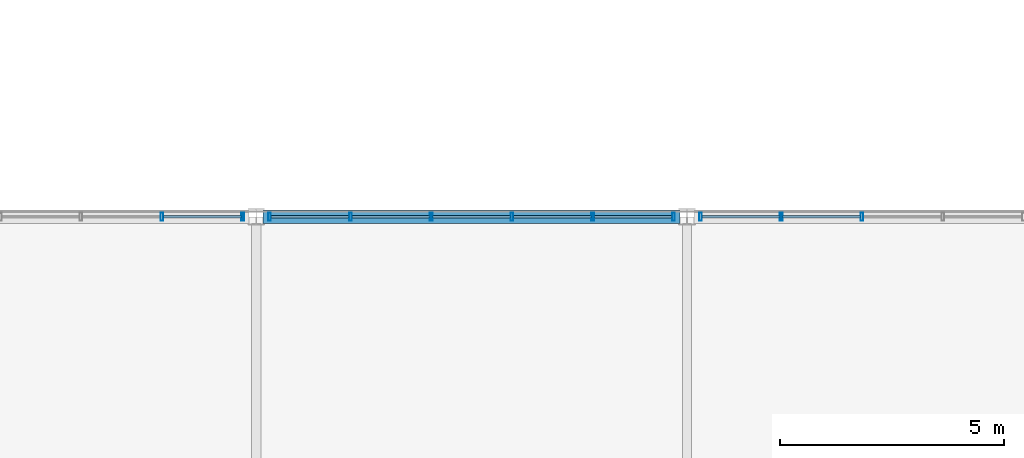
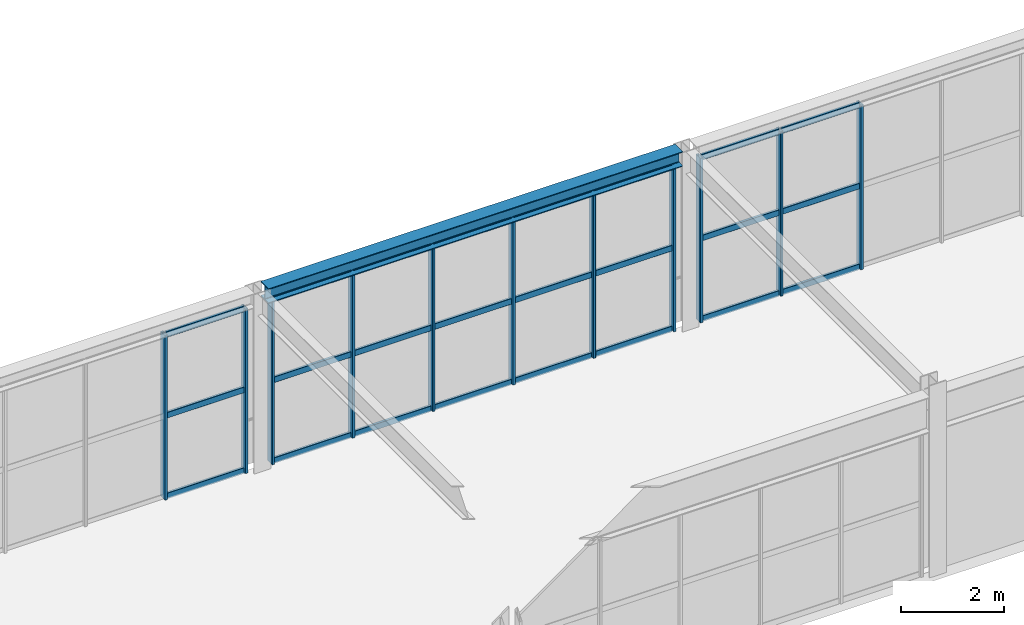
# One storey, part 71 of 170: 35 members, 1 beam, 3 elements without a shape of their own.
"""IFC4 building model written with IfcOpenShell, lengths in metres."""

from ifc_helpers import new_model, si_unit, direction, frame, origin, origin_2d, place, context, subcontext, project, spatial, hollow_rectangle, i_section, extrude, material, material_profile, profile_set, type_object, element, aggregate, save


model = new_model("IFC4")

# Units and contexts
model_context = context("Model", 3, precision=1e-05, world=origin(), true_north=direction((0.0, 1.0)))
body_context = subcontext(model_context, "Body", "Model", "MODEL_VIEW")
ifc_project = project(units=[si_unit("LENGTHUNIT", "METRE"), si_unit("AREAUNIT", "SQUARE_METRE"), si_unit("VOLUMEUNIT", "CUBIC_METRE"), si_unit("PLANEANGLEUNIT", "RADIAN"), si_unit("MASSUNIT", "GRAM", prefix="KILO")], contexts=[model_context])

# Site, building, storey
site_placement = place(None, origin())
site = spatial("IfcSite", under=ifc_project, at=site_placement, CompositionType="ELEMENT")
building_placement = place(site_placement, origin())
building = spatial("IfcBuilding", under=site, at=building_placement, Name="Coralgate Yard Interchange", CompositionType="ELEMENT")
storey_placement = place(building_placement, frame((0.0, 0.0, 6.0)))
storey = spatial("IfcBuildingStorey", under=building, at=storey_placement, Name="L01", CompositionType="ELEMENT", Elevation=6.0)

# Beam
ifc_material_1 = material(Name="Structural steel S355J2", Category="steel")
ifc_material_profile_1 = material_profile(ifc_material_1, i_section(OverallWidth=0.300048828125, OverallDepth=0.35009765625, WebThickness=0.010009765625, FlangeThickness=0.017578125, FilletRadius=0.027099609375, at=origin_2d()), Name="HEA 360")
ifc_profile_set_1 = profile_set([ifc_material_profile_1], Name="Structural steel S355J2")
beam_type = type_object("IfcBeamType", Name="BM-SP-1", PredefinedType="SPANDREL", material=ifc_profile_set_1)
beam_placement = place(storey_placement, frame((67.356201171875, 48.0, 4.074951171875), z_axis=(1.0, 0.0, 0.0), x_axis=(0.0, 1.0, 0.0)))
element("IfcBeam", 1, at=beam_placement, inside=storey, type_object=beam_type, Name="L01 primary grid beam Y5 X7-8", PredefinedType="SPANDREL", context=body_context, shape_type="SweptSolid", body=[
    extrude(i_section(OverallWidth=0.300048828125, OverallDepth=0.35009765625, WebThickness=0.010009765625, FlangeThickness=0.017578125, FilletRadius=0.027099609375, at=origin_2d()), origin(), (0.0, 0.0, 1.0), 9.28759765625),
])

# Curtain wall, members
ifc_material_2 = material(Name="Anodised coastal aluminium and solar-control low-E glass", Category="aluminium")
curtain_wall_type = type_object("IfcCurtainWallType", Name="CW-CW-L01-B", PredefinedType="NOTDEFINED", material=ifc_material_2)
curtain_wall_1_placement = place(storey_placement, origin())
curtain_wall_1 = element("IfcCurtainWall", 2, at=curtain_wall_1_placement, inside=storey, type_object=curtain_wall_type, Name="L01 unitised curtain wall CW-L01-N-06-04", PredefinedType="NOTDEFINED")
ifc_material_3 = material(Name="Anodised coastal aluminium 6063-T6", Category="aluminium")
ifc_material_profile_2 = material_profile(ifc_material_3, hollow_rectangle(XDim=0.06005859375, YDim=0.179931640625, WallThickness=0.00390625, InnerFilletRadius=0.00390625, OuterFilletRadius=0.008056640625, at=origin_2d()), Name="ALU 60x180x4")
ifc_profile_set_2 = profile_set([ifc_material_profile_2], Name="Anodised coastal aluminium 6063-T6")
member_type_1 = type_object("IfcMemberType", Name="MB-MUL-180", PredefinedType="MULLION", material=ifc_profile_set_2)
member_1_placement = place(storey_placement, frame((65.10009765625, 48.0, 0.0), z_axis=(0.0, 0.0, 1.0), x_axis=(1.0, 0.0, 0.0)))
member_1 = element("IfcMember", 3, at=member_1_placement, type_object=member_type_1, Name="CW-L01-N-06-04 vertical mullion 5", PredefinedType="MULLION", context=body_context, shape_type="SweptSolid", body=[
    extrude(hollow_rectangle(XDim=0.06005859375, YDim=0.179931640625, WallThickness=0.00390625, InnerFilletRadius=0.00390625, OuterFilletRadius=0.008056640625, at=origin_2d()), origin(), (0.0, 0.0, 1.0), 3.89990234375),
])
member_2_placement = place(storey_placement, frame((66.89990234375, 48.0, 0.0), z_axis=(0.0, 0.0, 1.0), x_axis=(1.0, 0.0, 0.0)))
member_2 = element("IfcMember", 4, at=member_2_placement, type_object=member_type_1, Name="CW-L01-N-06-04 vertical mullion 6", PredefinedType="MULLION", context=body_context, shape_type="SweptSolid", body=[
    extrude(hollow_rectangle(XDim=0.06005859375, YDim=0.179931640625, WallThickness=0.00390625, InnerFilletRadius=0.00390625, OuterFilletRadius=0.008056640625, at=origin_2d()), origin(), (0.0, 0.0, 1.0), 3.89990234375),
])

curtain_wall_2_placement = place(storey_placement, origin())
curtain_wall_2 = element("IfcCurtainWall", 5, at=curtain_wall_2_placement, inside=storey, type_object=curtain_wall_type, Name="L01 unitised curtain wall CW-L01-N-07-04", PredefinedType="NOTDEFINED")
member_3_placement = place(storey_placement, frame((67.5, 48.0, 0.0), z_axis=(0.0, 0.0, 1.0), x_axis=(1.0, 0.0, 0.0)))
member_3 = element("IfcMember", 6, at=member_3_placement, type_object=member_type_1, Name="CW-L01-N-07-04 vertical mullion 1", PredefinedType="MULLION", context=body_context, shape_type="SweptSolid", body=[
    extrude(hollow_rectangle(XDim=0.06005859375, YDim=0.179931640625, WallThickness=0.00390625, InnerFilletRadius=0.00390625, OuterFilletRadius=0.008056640625, at=origin_2d()), origin(), (0.0, 0.0, 1.0), 3.89990234375),
])
member_4_placement = place(storey_placement, frame((69.300048828125, 48.0, 0.0), z_axis=(0.0, 0.0, 1.0), x_axis=(1.0, 0.0, 0.0)))
member_4 = element("IfcMember", 7, at=member_4_placement, type_object=member_type_1, Name="CW-L01-N-07-04 vertical mullion 2", PredefinedType="MULLION", context=body_context, shape_type="SweptSolid", body=[
    extrude(hollow_rectangle(XDim=0.06005859375, YDim=0.179931640625, WallThickness=0.00390625, InnerFilletRadius=0.00390625, OuterFilletRadius=0.008056640625, at=origin_2d()), origin(), (0.0, 0.0, 1.0), 3.89990234375),
])
member_5_placement = place(storey_placement, frame((71.10009765625, 48.0, 0.0), z_axis=(0.0, 0.0, 1.0), x_axis=(1.0, 0.0, 0.0)))
member_5 = element("IfcMember", 8, at=member_5_placement, type_object=member_type_1, Name="CW-L01-N-07-04 vertical mullion 3", PredefinedType="MULLION", context=body_context, shape_type="SweptSolid", body=[
    extrude(hollow_rectangle(XDim=0.06005859375, YDim=0.179931640625, WallThickness=0.00390625, InnerFilletRadius=0.00390625, OuterFilletRadius=0.008056640625, at=origin_2d()), origin(), (0.0, 0.0, 1.0), 3.89990234375),
])
member_6_placement = place(storey_placement, frame((72.89990234375, 48.0, 0.0), z_axis=(0.0, 0.0, 1.0), x_axis=(1.0, 0.0, 0.0)))
member_6 = element("IfcMember", 9, at=member_6_placement, type_object=member_type_1, Name="CW-L01-N-07-04 vertical mullion 4", PredefinedType="MULLION", context=body_context, shape_type="SweptSolid", body=[
    extrude(hollow_rectangle(XDim=0.06005859375, YDim=0.179931640625, WallThickness=0.00390625, InnerFilletRadius=0.00390625, OuterFilletRadius=0.008056640625, at=origin_2d()), origin(), (0.0, 0.0, 1.0), 3.89990234375),
])
member_7_placement = place(storey_placement, frame((74.699951171875, 48.0, 0.0), z_axis=(0.0, 0.0, 1.0), x_axis=(1.0, 0.0, 0.0)))
member_7 = element("IfcMember", 10, at=member_7_placement, type_object=member_type_1, Name="CW-L01-N-07-04 vertical mullion 5", PredefinedType="MULLION", context=body_context, shape_type="SweptSolid", body=[
    extrude(hollow_rectangle(XDim=0.06005859375, YDim=0.179931640625, WallThickness=0.00390625, InnerFilletRadius=0.00390625, OuterFilletRadius=0.008056640625, at=origin_2d()), origin(), (0.0, 0.0, 1.0), 3.89990234375),
])
member_8_placement = place(storey_placement, frame((76.5, 48.0, 0.0), z_axis=(0.0, 0.0, 1.0), x_axis=(1.0, 0.0, 0.0)))
member_8 = element("IfcMember", 11, at=member_8_placement, type_object=member_type_1, Name="CW-L01-N-07-04 vertical mullion 6", PredefinedType="MULLION", context=body_context, shape_type="SweptSolid", body=[
    extrude(hollow_rectangle(XDim=0.06005859375, YDim=0.179931640625, WallThickness=0.00390625, InnerFilletRadius=0.00390625, OuterFilletRadius=0.008056640625, at=origin_2d()), origin(), (0.0, 0.0, 1.0), 3.89990234375),
])

curtain_wall_3_placement = place(storey_placement, origin())
curtain_wall_3 = element("IfcCurtainWall", 12, at=curtain_wall_3_placement, inside=storey, type_object=curtain_wall_type, Name="L01 unitised curtain wall CW-L01-N-08-04", PredefinedType="NOTDEFINED")
member_9_placement = place(storey_placement, frame((77.10009765625, 48.0, 0.0), z_axis=(0.0, 0.0, 1.0), x_axis=(1.0, 0.0, 0.0)))
member_9 = element("IfcMember", 13, at=member_9_placement, type_object=member_type_1, Name="CW-L01-N-08-04 vertical mullion 1", PredefinedType="MULLION", context=body_context, shape_type="SweptSolid", body=[
    extrude(hollow_rectangle(XDim=0.06005859375, YDim=0.179931640625, WallThickness=0.00390625, InnerFilletRadius=0.00390625, OuterFilletRadius=0.008056640625, at=origin_2d()), origin(), (0.0, 0.0, 1.0), 3.89990234375),
])
member_10_placement = place(storey_placement, frame((78.89990234375, 48.0, 0.0), z_axis=(0.0, 0.0, 1.0), x_axis=(1.0, 0.0, 0.0)))
member_10 = element("IfcMember", 14, at=member_10_placement, type_object=member_type_1, Name="CW-L01-N-08-04 vertical mullion 2", PredefinedType="MULLION", context=body_context, shape_type="SweptSolid", body=[
    extrude(hollow_rectangle(XDim=0.06005859375, YDim=0.179931640625, WallThickness=0.00390625, InnerFilletRadius=0.00390625, OuterFilletRadius=0.008056640625, at=origin_2d()), origin(), (0.0, 0.0, 1.0), 3.89990234375),
])
member_11_placement = place(storey_placement, frame((80.699951171875, 48.0, 0.0), z_axis=(0.0, 0.0, 1.0), x_axis=(1.0, 0.0, 0.0)))
member_11 = element("IfcMember", 15, at=member_11_placement, type_object=member_type_1, Name="CW-L01-N-08-04 vertical mullion 3", PredefinedType="MULLION", context=body_context, shape_type="SweptSolid", body=[
    extrude(hollow_rectangle(XDim=0.06005859375, YDim=0.179931640625, WallThickness=0.00390625, InnerFilletRadius=0.00390625, OuterFilletRadius=0.008056640625, at=origin_2d()), origin(), (0.0, 0.0, 1.0), 3.89990234375),
])

# Member
ifc_material_profile_3 = material_profile(ifc_material_3, hollow_rectangle(XDim=0.06005859375, YDim=0.139892578125, WallThickness=0.00341796875, InnerFilletRadius=0.00341796875, OuterFilletRadius=0.007080078125, at=origin_2d()), Name="ALU 60x140x3.5")
ifc_profile_set_3 = profile_set([ifc_material_profile_3], Name="Anodised coastal aluminium 6063-T6")
member_type_2 = type_object("IfcMemberType", Name="MB-TRN-140", PredefinedType="USERDEFINED", material=ifc_profile_set_3)
member_12_placement = place(storey_placement, frame((65.1298828125, 48.0, 0.034912109375), z_axis=(1.0, 0.0, 0.0), x_axis=(0.0, 1.0, 0.0)))
member_12 = element("IfcMember", 16, at=member_12_placement, type_object=member_type_2, Name="CW-L01-N-06-04 horizontal transom 5-1", ObjectType="TRANSOM", PredefinedType="USERDEFINED", context=body_context, shape_type="SweptSolid", body=[
    extrude(hollow_rectangle(XDim=0.06005859375, YDim=0.139892578125, WallThickness=0.00341796875, InnerFilletRadius=0.00341796875, OuterFilletRadius=0.007080078125, at=origin_2d()), origin(), (0.0, 0.0, 1.0), 1.740234375),
])

member_13_placement = place(storey_placement, frame((65.1298828125, 48.0, 1.949951171875), z_axis=(1.0, 0.0, 0.0), x_axis=(0.0, 1.0, 0.0)))
member_13 = element("IfcMember", 17, at=member_13_placement, type_object=member_type_2, Name="CW-L01-N-06-04 horizontal transom 5-2", ObjectType="TRANSOM", PredefinedType="USERDEFINED", context=body_context, shape_type="SweptSolid", body=[
    extrude(hollow_rectangle(XDim=0.06005859375, YDim=0.139892578125, WallThickness=0.00341796875, InnerFilletRadius=0.00341796875, OuterFilletRadius=0.007080078125, at=origin_2d()), origin(), (0.0, 0.0, 1.0), 1.740234375),
])

member_14_placement = place(storey_placement, frame((65.1298828125, 48.0, 3.864990234375), z_axis=(1.0, 0.0, 0.0), x_axis=(0.0, 1.0, 0.0)))
member_14 = element("IfcMember", 18, at=member_14_placement, type_object=member_type_2, Name="CW-L01-N-06-04 horizontal transom 5-3", ObjectType="TRANSOM", PredefinedType="USERDEFINED", context=body_context, shape_type="SweptSolid", body=[
    extrude(hollow_rectangle(XDim=0.06005859375, YDim=0.139892578125, WallThickness=0.00341796875, InnerFilletRadius=0.00341796875, OuterFilletRadius=0.007080078125, at=origin_2d()), origin(), (0.0, 0.0, 1.0), 1.740234375),
])

aggregate(curtain_wall_1, [member_1, member_2, member_12, member_13, member_14])

member_15_placement = place(storey_placement, frame((67.530029296875, 48.0, 0.034912109375), z_axis=(1.0, 0.0, 0.0), x_axis=(0.0, 1.0, 0.0)))
member_15 = element("IfcMember", 19, at=member_15_placement, type_object=member_type_2, Name="CW-L01-N-07-04 horizontal transom 1-1", ObjectType="TRANSOM", PredefinedType="USERDEFINED", context=body_context, shape_type="SweptSolid", body=[
    extrude(hollow_rectangle(XDim=0.06005859375, YDim=0.139892578125, WallThickness=0.00341796875, InnerFilletRadius=0.00341796875, OuterFilletRadius=0.007080078125, at=origin_2d()), origin(), (0.0, 0.0, 1.0), 1.739990234375),
])

member_16_placement = place(storey_placement, frame((67.530029296875, 48.0, 1.949951171875), z_axis=(1.0, 0.0, 0.0), x_axis=(0.0, 1.0, 0.0)))
member_16 = element("IfcMember", 20, at=member_16_placement, type_object=member_type_2, Name="CW-L01-N-07-04 horizontal transom 1-2", ObjectType="TRANSOM", PredefinedType="USERDEFINED", context=body_context, shape_type="SweptSolid", body=[
    extrude(hollow_rectangle(XDim=0.06005859375, YDim=0.139892578125, WallThickness=0.00341796875, InnerFilletRadius=0.00341796875, OuterFilletRadius=0.007080078125, at=origin_2d()), origin(), (0.0, 0.0, 1.0), 1.739990234375),
])

member_17_placement = place(storey_placement, frame((67.530029296875, 48.0, 3.864990234375), z_axis=(1.0, 0.0, 0.0), x_axis=(0.0, 1.0, 0.0)))
member_17 = element("IfcMember", 21, at=member_17_placement, type_object=member_type_2, Name="CW-L01-N-07-04 horizontal transom 1-3", ObjectType="TRANSOM", PredefinedType="USERDEFINED", context=body_context, shape_type="SweptSolid", body=[
    extrude(hollow_rectangle(XDim=0.06005859375, YDim=0.139892578125, WallThickness=0.00341796875, InnerFilletRadius=0.00341796875, OuterFilletRadius=0.007080078125, at=origin_2d()), origin(), (0.0, 0.0, 1.0), 1.739990234375),
])

member_18_placement = place(storey_placement, frame((69.330078125, 48.0, 0.034912109375), z_axis=(1.0, 0.0, 0.0), x_axis=(0.0, 1.0, 0.0)))
member_18 = element("IfcMember", 22, at=member_18_placement, type_object=member_type_2, Name="CW-L01-N-07-04 horizontal transom 2-1", ObjectType="TRANSOM", PredefinedType="USERDEFINED", context=body_context, shape_type="SweptSolid", body=[
    extrude(hollow_rectangle(XDim=0.06005859375, YDim=0.139892578125, WallThickness=0.00341796875, InnerFilletRadius=0.00341796875, OuterFilletRadius=0.007080078125, at=origin_2d()), origin(), (0.0, 0.0, 1.0), 1.739990234375),
])

member_19_placement = place(storey_placement, frame((69.330078125, 48.0, 1.949951171875), z_axis=(1.0, 0.0, 0.0), x_axis=(0.0, 1.0, 0.0)))
member_19 = element("IfcMember", 23, at=member_19_placement, type_object=member_type_2, Name="CW-L01-N-07-04 horizontal transom 2-2", ObjectType="TRANSOM", PredefinedType="USERDEFINED", context=body_context, shape_type="SweptSolid", body=[
    extrude(hollow_rectangle(XDim=0.06005859375, YDim=0.139892578125, WallThickness=0.00341796875, InnerFilletRadius=0.00341796875, OuterFilletRadius=0.007080078125, at=origin_2d()), origin(), (0.0, 0.0, 1.0), 1.739990234375),
])

member_20_placement = place(storey_placement, frame((69.330078125, 48.0, 3.864990234375), z_axis=(1.0, 0.0, 0.0), x_axis=(0.0, 1.0, 0.0)))
member_20 = element("IfcMember", 24, at=member_20_placement, type_object=member_type_2, Name="CW-L01-N-07-04 horizontal transom 2-3", ObjectType="TRANSOM", PredefinedType="USERDEFINED", context=body_context, shape_type="SweptSolid", body=[
    extrude(hollow_rectangle(XDim=0.06005859375, YDim=0.139892578125, WallThickness=0.00341796875, InnerFilletRadius=0.00341796875, OuterFilletRadius=0.007080078125, at=origin_2d()), origin(), (0.0, 0.0, 1.0), 1.739990234375),
])

member_21_placement = place(storey_placement, frame((71.1298828125, 48.0, 0.034912109375), z_axis=(1.0, 0.0, 0.0), x_axis=(0.0, 1.0, 0.0)))
member_21 = element("IfcMember", 25, at=member_21_placement, type_object=member_type_2, Name="CW-L01-N-07-04 horizontal transom 3-1", ObjectType="TRANSOM", PredefinedType="USERDEFINED", context=body_context, shape_type="SweptSolid", body=[
    extrude(hollow_rectangle(XDim=0.06005859375, YDim=0.139892578125, WallThickness=0.00341796875, InnerFilletRadius=0.00341796875, OuterFilletRadius=0.007080078125, at=origin_2d()), origin(), (0.0, 0.0, 1.0), 1.740234375),
])

member_22_placement = place(storey_placement, frame((71.1298828125, 48.0, 1.949951171875), z_axis=(1.0, 0.0, 0.0), x_axis=(0.0, 1.0, 0.0)))
member_22 = element("IfcMember", 26, at=member_22_placement, type_object=member_type_2, Name="CW-L01-N-07-04 horizontal transom 3-2", ObjectType="TRANSOM", PredefinedType="USERDEFINED", context=body_context, shape_type="SweptSolid", body=[
    extrude(hollow_rectangle(XDim=0.06005859375, YDim=0.139892578125, WallThickness=0.00341796875, InnerFilletRadius=0.00341796875, OuterFilletRadius=0.007080078125, at=origin_2d()), origin(), (0.0, 0.0, 1.0), 1.740234375),
])

member_23_placement = place(storey_placement, frame((71.1298828125, 48.0, 3.864990234375), z_axis=(1.0, 0.0, 0.0), x_axis=(0.0, 1.0, 0.0)))
member_23 = element("IfcMember", 27, at=member_23_placement, type_object=member_type_2, Name="CW-L01-N-07-04 horizontal transom 3-3", ObjectType="TRANSOM", PredefinedType="USERDEFINED", context=body_context, shape_type="SweptSolid", body=[
    extrude(hollow_rectangle(XDim=0.06005859375, YDim=0.139892578125, WallThickness=0.00341796875, InnerFilletRadius=0.00341796875, OuterFilletRadius=0.007080078125, at=origin_2d()), origin(), (0.0, 0.0, 1.0), 1.740234375),
])

member_24_placement = place(storey_placement, frame((72.929931640625, 48.0, 0.034912109375), z_axis=(1.0, 0.0, 0.0), x_axis=(0.0, 1.0, 0.0)))
member_24 = element("IfcMember", 28, at=member_24_placement, type_object=member_type_2, Name="CW-L01-N-07-04 horizontal transom 4-1", ObjectType="TRANSOM", PredefinedType="USERDEFINED", context=body_context, shape_type="SweptSolid", body=[
    extrude(hollow_rectangle(XDim=0.06005859375, YDim=0.139892578125, WallThickness=0.00341796875, InnerFilletRadius=0.00341796875, OuterFilletRadius=0.007080078125, at=origin_2d()), origin(), (0.0, 0.0, 1.0), 1.739990234375),
])

member_25_placement = place(storey_placement, frame((72.929931640625, 48.0, 1.949951171875), z_axis=(1.0, 0.0, 0.0), x_axis=(0.0, 1.0, 0.0)))
member_25 = element("IfcMember", 29, at=member_25_placement, type_object=member_type_2, Name="CW-L01-N-07-04 horizontal transom 4-2", ObjectType="TRANSOM", PredefinedType="USERDEFINED", context=body_context, shape_type="SweptSolid", body=[
    extrude(hollow_rectangle(XDim=0.06005859375, YDim=0.139892578125, WallThickness=0.00341796875, InnerFilletRadius=0.00341796875, OuterFilletRadius=0.007080078125, at=origin_2d()), origin(), (0.0, 0.0, 1.0), 1.739990234375),
])

member_26_placement = place(storey_placement, frame((72.929931640625, 48.0, 3.864990234375), z_axis=(1.0, 0.0, 0.0), x_axis=(0.0, 1.0, 0.0)))
member_26 = element("IfcMember", 30, at=member_26_placement, type_object=member_type_2, Name="CW-L01-N-07-04 horizontal transom 4-3", ObjectType="TRANSOM", PredefinedType="USERDEFINED", context=body_context, shape_type="SweptSolid", body=[
    extrude(hollow_rectangle(XDim=0.06005859375, YDim=0.139892578125, WallThickness=0.00341796875, InnerFilletRadius=0.00341796875, OuterFilletRadius=0.007080078125, at=origin_2d()), origin(), (0.0, 0.0, 1.0), 1.739990234375),
])

member_27_placement = place(storey_placement, frame((74.72998046875, 48.0, 0.034912109375), z_axis=(1.0, 0.0, 0.0), x_axis=(0.0, 1.0, 0.0)))
member_27 = element("IfcMember", 31, at=member_27_placement, type_object=member_type_2, Name="CW-L01-N-07-04 horizontal transom 5-1", ObjectType="TRANSOM", PredefinedType="USERDEFINED", context=body_context, shape_type="SweptSolid", body=[
    extrude(hollow_rectangle(XDim=0.06005859375, YDim=0.139892578125, WallThickness=0.00341796875, InnerFilletRadius=0.00341796875, OuterFilletRadius=0.007080078125, at=origin_2d()), origin(), (0.0, 0.0, 1.0), 1.739990234375),
])

member_28_placement = place(storey_placement, frame((74.72998046875, 48.0, 1.949951171875), z_axis=(1.0, 0.0, 0.0), x_axis=(0.0, 1.0, 0.0)))
member_28 = element("IfcMember", 32, at=member_28_placement, type_object=member_type_2, Name="CW-L01-N-07-04 horizontal transom 5-2", ObjectType="TRANSOM", PredefinedType="USERDEFINED", context=body_context, shape_type="SweptSolid", body=[
    extrude(hollow_rectangle(XDim=0.06005859375, YDim=0.139892578125, WallThickness=0.00341796875, InnerFilletRadius=0.00341796875, OuterFilletRadius=0.007080078125, at=origin_2d()), origin(), (0.0, 0.0, 1.0), 1.739990234375),
])

member_29_placement = place(storey_placement, frame((74.72998046875, 48.0, 3.864990234375), z_axis=(1.0, 0.0, 0.0), x_axis=(0.0, 1.0, 0.0)))
member_29 = element("IfcMember", 33, at=member_29_placement, type_object=member_type_2, Name="CW-L01-N-07-04 horizontal transom 5-3", ObjectType="TRANSOM", PredefinedType="USERDEFINED", context=body_context, shape_type="SweptSolid", body=[
    extrude(hollow_rectangle(XDim=0.06005859375, YDim=0.139892578125, WallThickness=0.00341796875, InnerFilletRadius=0.00341796875, OuterFilletRadius=0.007080078125, at=origin_2d()), origin(), (0.0, 0.0, 1.0), 1.739990234375),
])

aggregate(curtain_wall_2, [member_3, member_4, member_5, member_6, member_7, member_8, member_15, member_16, member_17, member_18, member_19, member_20, member_21, member_22, member_23, member_24, member_25, member_26, member_27, member_28, member_29])

member_30_placement = place(storey_placement, frame((77.1298828125, 48.0, 0.034912109375), z_axis=(1.0, 0.0, 0.0), x_axis=(0.0, 1.0, 0.0)))
member_30 = element("IfcMember", 34, at=member_30_placement, type_object=member_type_2, Name="CW-L01-N-08-04 horizontal transom 1-1", ObjectType="TRANSOM", PredefinedType="USERDEFINED", context=body_context, shape_type="SweptSolid", body=[
    extrude(hollow_rectangle(XDim=0.06005859375, YDim=0.139892578125, WallThickness=0.00341796875, InnerFilletRadius=0.00341796875, OuterFilletRadius=0.007080078125, at=origin_2d()), origin(), (0.0, 0.0, 1.0), 1.740234375),
])

member_31_placement = place(storey_placement, frame((77.1298828125, 48.0, 1.949951171875), z_axis=(1.0, 0.0, 0.0), x_axis=(0.0, 1.0, 0.0)))
member_31 = element("IfcMember", 35, at=member_31_placement, type_object=member_type_2, Name="CW-L01-N-08-04 horizontal transom 1-2", ObjectType="TRANSOM", PredefinedType="USERDEFINED", context=body_context, shape_type="SweptSolid", body=[
    extrude(hollow_rectangle(XDim=0.06005859375, YDim=0.139892578125, WallThickness=0.00341796875, InnerFilletRadius=0.00341796875, OuterFilletRadius=0.007080078125, at=origin_2d()), origin(), (0.0, 0.0, 1.0), 1.740234375),
])

member_32_placement = place(storey_placement, frame((77.1298828125, 48.0, 3.864990234375), z_axis=(1.0, 0.0, 0.0), x_axis=(0.0, 1.0, 0.0)))
member_32 = element("IfcMember", 36, at=member_32_placement, type_object=member_type_2, Name="CW-L01-N-08-04 horizontal transom 1-3", ObjectType="TRANSOM", PredefinedType="USERDEFINED", context=body_context, shape_type="SweptSolid", body=[
    extrude(hollow_rectangle(XDim=0.06005859375, YDim=0.139892578125, WallThickness=0.00341796875, InnerFilletRadius=0.00341796875, OuterFilletRadius=0.007080078125, at=origin_2d()), origin(), (0.0, 0.0, 1.0), 1.740234375),
])

member_33_placement = place(storey_placement, frame((78.929931640625, 48.0, 0.034912109375), z_axis=(1.0, 0.0, 0.0), x_axis=(0.0, 1.0, 0.0)))
member_33 = element("IfcMember", 37, at=member_33_placement, type_object=member_type_2, Name="CW-L01-N-08-04 horizontal transom 2-1", ObjectType="TRANSOM", PredefinedType="USERDEFINED", context=body_context, shape_type="SweptSolid", body=[
    extrude(hollow_rectangle(XDim=0.06005859375, YDim=0.139892578125, WallThickness=0.00341796875, InnerFilletRadius=0.00341796875, OuterFilletRadius=0.007080078125, at=origin_2d()), origin(), (0.0, 0.0, 1.0), 1.739990234375),
])

member_34_placement = place(storey_placement, frame((78.929931640625, 48.0, 1.949951171875), z_axis=(1.0, 0.0, 0.0), x_axis=(0.0, 1.0, 0.0)))
member_34 = element("IfcMember", 38, at=member_34_placement, type_object=member_type_2, Name="CW-L01-N-08-04 horizontal transom 2-2", ObjectType="TRANSOM", PredefinedType="USERDEFINED", context=body_context, shape_type="SweptSolid", body=[
    extrude(hollow_rectangle(XDim=0.06005859375, YDim=0.139892578125, WallThickness=0.00341796875, InnerFilletRadius=0.00341796875, OuterFilletRadius=0.007080078125, at=origin_2d()), origin(), (0.0, 0.0, 1.0), 1.739990234375),
])

member_35_placement = place(storey_placement, frame((78.929931640625, 48.0, 3.864990234375), z_axis=(1.0, 0.0, 0.0), x_axis=(0.0, 1.0, 0.0)))
member_35 = element("IfcMember", 39, at=member_35_placement, type_object=member_type_2, Name="CW-L01-N-08-04 horizontal transom 2-3", ObjectType="TRANSOM", PredefinedType="USERDEFINED", context=body_context, shape_type="SweptSolid", body=[
    extrude(hollow_rectangle(XDim=0.06005859375, YDim=0.139892578125, WallThickness=0.00341796875, InnerFilletRadius=0.00341796875, OuterFilletRadius=0.007080078125, at=origin_2d()), origin(), (0.0, 0.0, 1.0), 1.739990234375),
])

aggregate(curtain_wall_3, [member_9, member_10, member_11, member_30, member_31, member_32, member_33, member_34, member_35])

save(model, "model.ifc")
